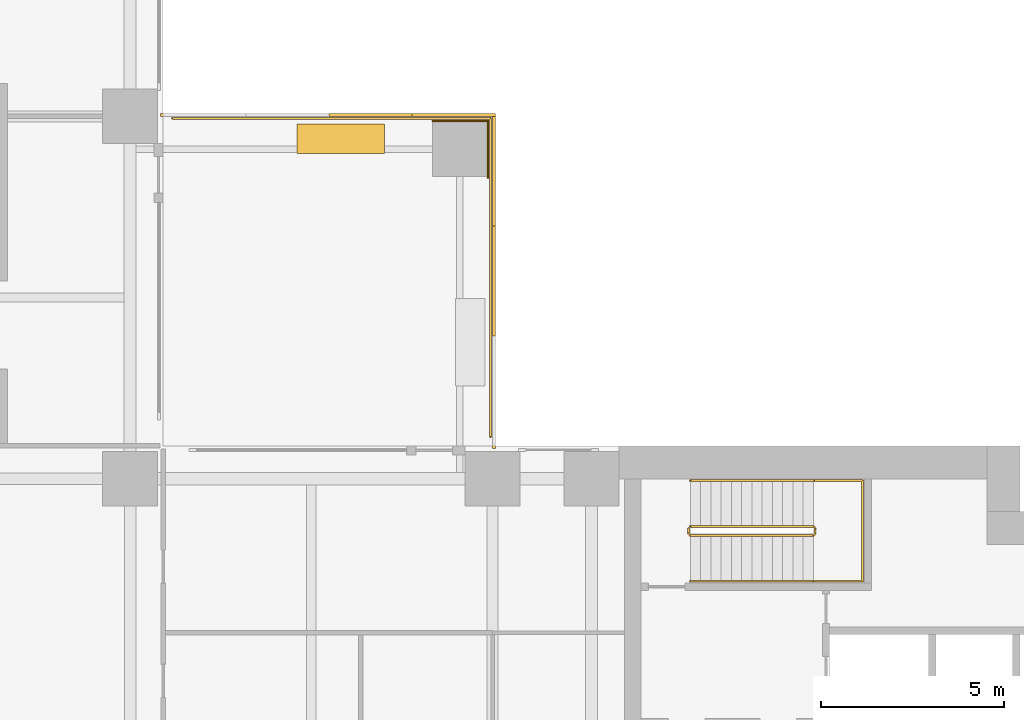
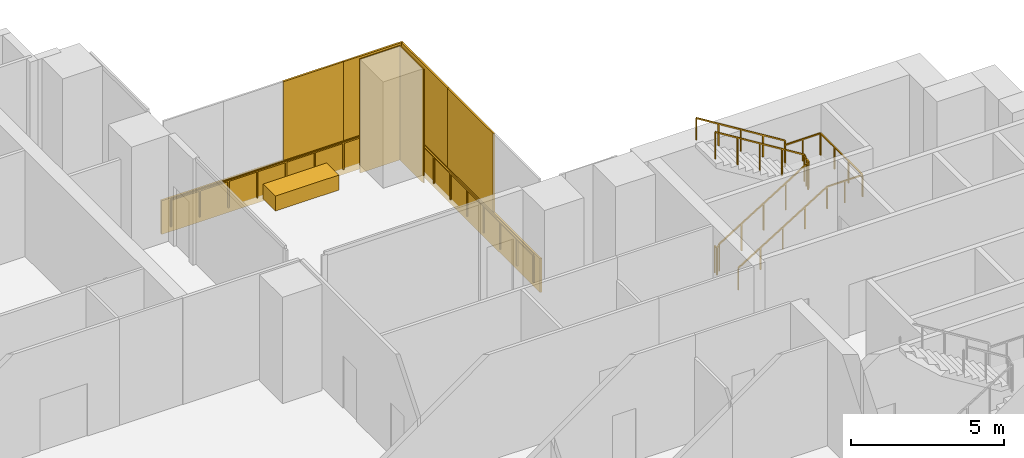
# One storey, part 15 of 15: 8 coverings, 3 railings.
"""IFC4 building model written with IfcOpenShell, lengths in metres."""

from ifc_helpers import new_model, si_unit, direction, frame, origin, origin_2d, place, context, subcontext, project, spatial, polyline, rectangle, outline, extrude, material, layer, layer_set, type_object, element, save


model = new_model("IFC4")

# Units and contexts
model_context = context("Model", 3, precision=1e-05, world=origin(), true_north=direction((0.0, 1.0)))
body_context = subcontext(model_context, "Body", "Model", "MODEL_VIEW")
ifc_project = project(units=[si_unit("LENGTHUNIT", "METRE"), si_unit("AREAUNIT", "SQUARE_METRE"), si_unit("VOLUMEUNIT", "CUBIC_METRE"), si_unit("PLANEANGLEUNIT", "RADIAN"), si_unit("MASSUNIT", "GRAM", prefix="KILO")], contexts=[model_context])

# Site, building, storey
site_placement = place(None, origin())
site = spatial("IfcSite", under=ifc_project, at=site_placement, CompositionType="ELEMENT")
building_placement = place(site_placement, origin())
building = spatial("IfcBuilding", under=site, at=building_placement, Name="Perihelion Cross Residences", CompositionType="ELEMENT")
storey_placement = place(building_placement, frame((0.0, 0.0, 32.0)))
storey = spatial("IfcBuildingStorey", under=building, at=storey_placement, Name="L04", CompositionType="ELEMENT", Elevation=32.0)

# Railing
ifc_material_1 = material(Name="Bronze anodised aluminium", Category="aluminium")
railing_type_1 = type_object("IfcRailingType", Name="Balcony guard 1100", PredefinedType="GUARDRAIL", material=ifc_material_1)
railing_1_placement = place(storey_placement, frame((9.25, 17.93994140625, 0.0)))
element("IfcRailing", 1, at=railing_1_placement, inside=storey, type_object=railing_type_1, Name="Guard GU1 L04 pocket north-east 1", PredefinedType="GUARDRAIL", context=body_context, shape_type="SweptSolid", body=[
    extrude(rectangle(XDim=0.048095703125, YDim=0.048095703125, at=origin_2d()), frame((0.0, 0.0, 1.076171875), z_axis=(1.0, 0.0, 0.0), x_axis=(0.0, 1.0, 0.0)), (0.0, 0.0, 1.0), 8.68994140625),
    extrude(rectangle(XDim=0.048095703125, YDim=0.048095703125, at=origin_2d()), frame((8.68994140625, 0.0, 1.076171875), z_axis=(0.0, -1.0, 0.0), x_axis=(1.0, 0.0, 0.0)), (0.0, 0.0, 1.0), 8.68994140625),
    extrude(rectangle(XDim=0.0419921875, YDim=0.0419921875, at=origin_2d()), origin(), (0.0, 0.0, 1.0), 1.052001953125),
    extrude(rectangle(XDim=0.0419921875, YDim=0.0419921875, at=origin_2d()), frame((1.086181640625, 0.0, 0.0)), (0.0, 0.0, 1.0), 1.052001953125),
    extrude(rectangle(XDim=0.0419921875, YDim=0.0419921875, at=origin_2d()), frame((2.17236328125, 0.0, 0.0)), (0.0, 0.0, 1.0), 1.052001953125),
    extrude(rectangle(XDim=0.0419921875, YDim=0.0419921875, at=origin_2d()), frame((3.2587890625, 0.0, 0.0)), (0.0, 0.0, 1.0), 1.052001953125),
    extrude(rectangle(XDim=0.0419921875, YDim=0.0419921875, at=origin_2d()), frame((4.344970703125, 0.0, 0.0)), (0.0, 0.0, 1.0), 1.052001953125),
    extrude(rectangle(XDim=0.0419921875, YDim=0.0419921875, at=origin_2d()), frame((5.43115234375, 0.0, 0.0)), (0.0, 0.0, 1.0), 1.052001953125),
    extrude(rectangle(XDim=0.0419921875, YDim=0.0419921875, at=origin_2d()), frame((6.517578125, 0.0, 0.0)), (0.0, 0.0, 1.0), 1.052001953125),
    extrude(rectangle(XDim=0.0419921875, YDim=0.0419921875, at=origin_2d()), frame((7.603759765625, 0.0, 0.0)), (0.0, 0.0, 1.0), 1.052001953125),
    extrude(rectangle(XDim=0.0419921875, YDim=0.0419921875, at=origin_2d()), frame((8.68994140625, 0.0, 0.0)), (0.0, 0.0, 1.0), 1.052001953125),
    extrude(rectangle(XDim=0.0419921875, YDim=0.0419921875, at=origin_2d()), frame((8.68994140625, -1.086181640625, 0.0)), (0.0, 0.0, 1.0), 1.052001953125),
    extrude(rectangle(XDim=0.0419921875, YDim=0.0419921875, at=origin_2d()), frame((8.68994140625, -2.17236328125, 0.0)), (0.0, 0.0, 1.0), 1.052001953125),
    extrude(rectangle(XDim=0.0419921875, YDim=0.0419921875, at=origin_2d()), frame((8.68994140625, -3.2587890625, 0.0)), (0.0, 0.0, 1.0), 1.052001953125),
    extrude(rectangle(XDim=0.0419921875, YDim=0.0419921875, at=origin_2d()), frame((8.68994140625, -4.344970703125, 0.0)), (0.0, 0.0, 1.0), 1.052001953125),
    extrude(rectangle(XDim=0.0419921875, YDim=0.0419921875, at=origin_2d()), frame((8.68994140625, -5.43115234375, 0.0)), (0.0, 0.0, 1.0), 1.052001953125),
    extrude(rectangle(XDim=0.0419921875, YDim=0.0419921875, at=origin_2d()), frame((8.68994140625, -6.517578125, 0.0)), (0.0, 0.0, 1.0), 1.052001953125),
    extrude(rectangle(XDim=0.0419921875, YDim=0.0419921875, at=origin_2d()), frame((8.68994140625, -7.603759765625, 0.0)), (0.0, 0.0, 1.0), 1.052001953125),
    extrude(rectangle(XDim=0.0419921875, YDim=0.0419921875, at=origin_2d()), frame((8.68994140625, -8.68994140625, 0.0)), (0.0, 0.0, 1.0), 1.052001953125),
])

# Coverings
ifc_material_2 = material(Name="Bronze anodised aluminium", Category="aluminium")
ifc_layer_1 = layer(ifc_material_2, 0.0400390625)
ifc_layer_set_1 = layer_set([ifc_layer_1], Name="Bronze column casing 40")
covering_type_1 = type_object("IfcCoveringType", Name="Bronze column casing 40", PredefinedType="CLADDING", material=ifc_layer_set_1)
covering_1_placement = place(storey_placement, frame((17.8701171875, 17.10009765625, -0.2998046875), z_axis=(0.0, 0.0, 1.0), x_axis=(1.0, 0.0, 0.0)))
element("IfcCovering", 2, at=covering_1_placement, inside=storey, type_object=covering_type_1, Name="Cladding CC1 L04 casing east-west no. 4", PredefinedType="CLADDING", context=body_context, shape_type="SweptSolid", body=[
    extrude(rectangle(XDim=0.0400390625, YDim=1.580078125, at=origin_2d()), origin(), (0.0, 0.0, 1.0), 4.550048828125),
])
covering_2_placement = place(storey_placement, frame((17.10009765625, 17.8701171875, -0.2998046875), z_axis=(0.0, 0.0, 1.0), x_axis=(1.0, 0.0, 0.0)))
element("IfcCovering", 3, at=covering_2_placement, inside=storey, type_object=covering_type_1, Name="Cladding CC1 L04 casing north-south no. 4", PredefinedType="CLADDING", context=body_context, shape_type="SweptSolid", body=[
    extrude(rectangle(XDim=1.5, YDim=0.0400390625, at=origin_2d()), origin(), (0.0, 0.0, 1.0), 4.550048828125),
])
ifc_material_3 = material(Name="Precast concrete C40/50", Category="concrete")
covering_type_2 = type_object("IfcCoveringType", Name="Planter box 2400", PredefinedType="USERDEFINED", material=ifc_material_3)
covering_3_placement = place(storey_placement, frame((13.85009765625, 17.389892578125, 0.0), z_axis=(0.0, 0.0, 1.0), x_axis=(1.0, 0.0, 0.0)))
element("IfcCovering", 4, at=covering_3_placement, inside=storey, type_object=covering_type_2, Name="Planter PT1 L04 pocket north-east 1", ObjectType="PLANTER", PredefinedType="USERDEFINED", context=body_context, shape_type="SweptSolid", body=[
    extrude(rectangle(XDim=2.39990234375, YDim=0.800048828125, at=origin_2d()), origin(), (0.0, 0.0, 1.0), 0.60009765625),
])
ifc_material_4 = material(Name="Bronze anodised aluminium", Category="aluminium")
ifc_layer_2 = layer(ifc_material_4, 0.070068359375)
ifc_layer_set_2 = layer_set([ifc_layer_2], Name="Pocket fascia 1350")
covering_type_3 = type_object("IfcCoveringType", Name="Pocket fascia 1350", PredefinedType="CLADDING", material=ifc_layer_set_2)
covering_4_placement = place(storey_placement, frame((0.0, 0.0, -0.25)))
element("IfcCovering", 5, at=covering_4_placement, inside=storey, type_object=covering_type_3, Name="Fascia BF2 L04 pocket north-east 1", PredefinedType="CLADDING", context=body_context, shape_type="SweptSolid", body=[
    extrude(outline(polyline([(8.929931640625, 18.0), (9.0, 18.0), (9.0, 18.0), (18.0, 18.0), (18.0, 9.0), (18.0, 9.0), (18.0, 8.929931640625), (18.070068359375, 8.929931640625), (18.070068359375, 18.070068359375), (8.929931640625, 18.070068359375), (8.929931640625, 18.0)])), origin(), (0.0, 0.0, 1.0), 1.35009765625),
])
ifc_material_5 = material(Name="Bronze perforated aluminium", Category="aluminium")
ifc_layer_3 = layer(ifc_material_5, 0.070068359375)
ifc_layer_set_3 = layer_set([ifc_layer_3], Name="Pocket solar screen, bronze perforated")
covering_type_4 = type_object("IfcCoveringType", Name="Pocket solar screen, bronze perforated", PredefinedType="CLADDING", material=ifc_layer_set_3)
covering_5_placement = place(storey_placement, frame((0.0, 0.0, 1.10009765625)))
element("IfcCovering", 6, at=covering_5_placement, inside=storey, type_object=covering_type_4, Name="Solar screen PS1 L04 pocket north-east no. 2", PredefinedType="CLADDING", context=body_context, shape_type="SweptSolid", body=[
    extrude(outline(polyline([(18.070068359375, 12.0), (18.070068359375, 15.0), (18.0, 15.0), (18.0, 12.0), (18.070068359375, 12.0)])), origin(), (0.0, 0.0, 1.0), 3.14990234375),
])
covering_6_placement = place(storey_placement, frame((0.0, 0.0, 1.10009765625)))
element("IfcCovering", 7, at=covering_6_placement, inside=storey, type_object=covering_type_4, Name="Solar screen PS1 L04 pocket north-east no. 3", PredefinedType="CLADDING", context=body_context, shape_type="SweptSolid", body=[
    extrude(outline(polyline([(18.070068359375, 15.0), (18.070068359375, 18.0), (18.0, 18.0), (18.0, 15.0), (18.070068359375, 15.0)])), origin(), (0.0, 0.0, 1.0), 3.14990234375),
])
covering_7_placement = place(storey_placement, frame((0.0, 0.0, 1.10009765625)))
element("IfcCovering", 8, at=covering_7_placement, inside=storey, type_object=covering_type_4, Name="Solar screen PS1 L04 pocket north-east no. 6", PredefinedType="CLADDING", context=body_context, shape_type="SweptSolid", body=[
    extrude(outline(polyline([(15.802490234375, 18.0), (15.802490234375, 18.070068359375), (13.534912109375, 18.070068359375), (13.534912109375, 18.0), (15.802490234375, 18.0)])), origin(), (0.0, 0.0, 1.0), 3.14990234375),
])
covering_8_placement = place(storey_placement, frame((0.0, 0.0, 1.10009765625)))
element("IfcCovering", 9, at=covering_8_placement, inside=storey, type_object=covering_type_4, Name="Solar screen PS1 L04 pocket north-east no. 7", PredefinedType="CLADDING", context=body_context, shape_type="SweptSolid", body=[
    extrude(outline(polyline([(18.070068359375, 18.0), (18.070068359375, 18.070068359375), (15.802490234375, 18.070068359375), (15.802490234375, 18.0), (18.070068359375, 18.0)])), origin(), (0.0, 0.0, 1.0), 3.14990234375),
])

# Railings
ifc_material_6 = material(Name="Stainless steel", Category="steel")
railing_type_2 = type_object("IfcRailingType", Name="Stair guard 1100", PredefinedType="GUARDRAIL", material=ifc_material_6)
railing_2_placement = place(storey_placement, frame((23.35009765625, 6.75, 0.0)))
element("IfcRailing", 10, at=railing_2_placement, inside=storey, type_object=railing_type_2, Name="L04 ST-E1 stair guard 1", PredefinedType="GUARDRAIL", context=body_context, shape_type="SweptSolid", body=[
    extrude(rectangle(XDim=0.048095703125, YDim=0.048095703125, at=origin_2d()), frame((0.0, 0.0, 1.076171875), z_axis=(0.0, -1.0, 0.0), x_axis=(1.0, 0.0, 0.0)), (0.0, 0.0, 1.0), 0.14990234375),
    extrude(rectangle(XDim=0.048095703125, YDim=0.048095703125, at=origin_2d()), frame((0.0, -0.14990234375, 1.076171875), z_axis=(0.266417085129, -0.267723051232, 0.925929967433), x_axis=(0.708833529934, 0.705375805398, 0.0)), (0.0, 0.0, 1.0), 0.18701171875),
    extrude(rectangle(XDim=0.048095703125, YDim=0.048095703125, at=origin_2d()), frame((0.0498046875, -0.199951171875, 1.2490234375), z_axis=(0.850623216509, 0.0, 0.525775754039), x_axis=(0.0, 1.0, 0.0)), (0.0, 0.0, 1.0), 3.9501953125),
    extrude(rectangle(XDim=0.048095703125, YDim=0.048095703125, at=origin_2d()), frame((3.409912109375, -0.199951171875, 3.326171875), z_axis=(0.707106781187, 0.707106781187, 0.0), x_axis=(-0.707106781187, 0.707106781187, 0.0)), (0.0, 0.0, 1.0), 0.07080078125),
    extrude(rectangle(XDim=0.048095703125, YDim=0.048095703125, at=origin_2d()), frame((3.4599609375, -0.14990234375, 3.326171875), z_axis=(0.0, 1.0, 0.0), x_axis=(-1.0, 0.0, 0.0)), (0.0, 0.0, 1.0), 0.14990234375),
    extrude(rectangle(XDim=0.048095703125, YDim=0.048095703125, at=origin_2d()), frame((3.4599609375, 0.0, 3.326171875), z_axis=(-0.267629722418, 0.267629722418, 0.925607186314), x_axis=(-0.707106781187, -0.707106781187, 0.0)), (0.0, 0.0, 1.0), 0.18701171875),
    extrude(rectangle(XDim=0.048095703125, YDim=0.048095703125, at=origin_2d()), frame((3.409912109375, 0.050048828125, 3.4990234375), z_axis=(-0.850623216509, 0.0, 0.525775754039), x_axis=(0.0, -1.0, 0.0)), (0.0, 0.0, 1.0), 3.9501953125),
    extrude(rectangle(XDim=0.0419921875, YDim=0.0419921875, at=origin_2d()), origin(), (0.0, 0.0, 1.0), 1.052001953125),
    extrude(rectangle(XDim=0.0419921875, YDim=0.0419921875, at=origin_2d()), frame((0.0, -0.14990234375, 0.0)), (0.0, 0.0, 1.0), 1.052001953125),
    extrude(rectangle(XDim=0.0419921875, YDim=0.0419921875, at=origin_2d()), frame((0.0498046875, -0.199951171875, 0.173095703125)), (0.0, 0.0, 1.0), 1.052001953125),
    extrude(rectangle(XDim=0.0419921875, YDim=0.0419921875, at=origin_2d()), frame((0.889892578125, -0.199951171875, 0.6923828125)), (0.0, 0.0, 1.0), 1.052001953125),
    extrude(rectangle(XDim=0.0419921875, YDim=0.0419921875, at=origin_2d()), frame((1.72998046875, -0.199951171875, 1.21142578125)), (0.0, 0.0, 1.0), 1.052001953125),
    extrude(rectangle(XDim=0.0419921875, YDim=0.0419921875, at=origin_2d()), frame((2.56982421875, -0.199951171875, 1.730712890625)), (0.0, 0.0, 1.0), 1.052001953125),
    extrude(rectangle(XDim=0.0419921875, YDim=0.0419921875, at=origin_2d()), frame((3.409912109375, -0.199951171875, 2.25)), (0.0, 0.0, 1.0), 1.052001953125),
    extrude(rectangle(XDim=0.0419921875, YDim=0.0419921875, at=origin_2d()), frame((3.4599609375, -0.14990234375, 2.25)), (0.0, 0.0, 1.0), 1.052001953125),
    extrude(rectangle(XDim=0.0419921875, YDim=0.0419921875, at=origin_2d()), frame((3.4599609375, 0.0, 2.25)), (0.0, 0.0, 1.0), 1.052001953125),
    extrude(rectangle(XDim=0.0419921875, YDim=0.0419921875, at=origin_2d()), frame((3.409912109375, 0.050048828125, 2.423095703125)), (0.0, 0.0, 1.0), 1.052001953125),
    extrude(rectangle(XDim=0.0419921875, YDim=0.0419921875, at=origin_2d()), frame((2.56982421875, 0.050048828125, 2.9423828125)), (0.0, 0.0, 1.0), 1.052001953125),
    extrude(rectangle(XDim=0.0419921875, YDim=0.0419921875, at=origin_2d()), frame((1.72998046875, 0.050048828125, 3.46142578125)), (0.0, 0.0, 1.0), 1.052001953125),
    extrude(rectangle(XDim=0.0419921875, YDim=0.0419921875, at=origin_2d()), frame((0.889892578125, 0.050048828125, 3.980712890625)), (0.0, 0.0, 1.0), 1.052001953125),
    extrude(rectangle(XDim=0.0419921875, YDim=0.0419921875, at=origin_2d()), frame((0.0498046875, 0.050048828125, 4.5)), (0.0, 0.0, 1.0), 1.052001953125),
])
ifc_material_7 = material(Name="Stainless steel", Category="steel")
railing_type_3 = type_object("IfcRailingType", Name="Stair handrail 900", PredefinedType="HANDRAIL", material=ifc_material_7)
railing_3_placement = place(storey_placement, frame((23.39990234375, 5.300048828125, 0.173095703125)))
element("IfcRailing", 11, at=railing_3_placement, inside=storey, type_object=railing_type_3, Name="L04 ST-E1 stair handrail 1", PredefinedType="HANDRAIL", context=body_context, shape_type="SweptSolid", body=[
    extrude(rectangle(XDim=0.048095703125, YDim=0.048095703125, at=origin_2d()), frame((0.0, 0.0, 0.8759765625), z_axis=(0.850623216509, 0.0, 0.525775754039), x_axis=(0.0, 1.0, 0.0)), (0.0, 0.0, 1.0), 3.9501953125),
    extrude(rectangle(XDim=0.048095703125, YDim=0.048095703125, at=origin_2d()), frame((3.360107421875, 0.0, 2.95263671875), z_axis=(1.0, 0.0, 0.0), x_axis=(0.0, 1.0, 0.0)), (0.0, 0.0, 1.0), 1.340087890625),
    extrude(rectangle(XDim=0.048095703125, YDim=0.048095703125, at=origin_2d()), frame((4.7001953125, 0.0, 2.95263671875), z_axis=(0.0, 1.0, 0.0), x_axis=(-1.0, 0.0, 0.0)), (0.0, 0.0, 1.0), 2.75),
    extrude(rectangle(XDim=0.048095703125, YDim=0.048095703125, at=origin_2d()), frame((4.7001953125, 2.75, 2.95263671875), z_axis=(-1.0, 0.0, 0.0), x_axis=(0.0, -1.0, 0.0)), (0.0, 0.0, 1.0), 1.340087890625),
    extrude(rectangle(XDim=0.048095703125, YDim=0.048095703125, at=origin_2d()), frame((3.360107421875, 2.75, 2.95263671875), z_axis=(0.0, 0.0, 1.0), x_axis=(1.0, 0.0, 0.0)), (0.0, 0.0, 1.0), 0.173095703125),
    extrude(rectangle(XDim=0.048095703125, YDim=0.048095703125, at=origin_2d()), frame((3.360107421875, 2.75, 3.1259765625), z_axis=(-0.850623216509, 0.0, 0.525775754039), x_axis=(0.0, -1.0, 0.0)), (0.0, 0.0, 1.0), 3.9501953125),
    extrude(rectangle(XDim=0.0419921875, YDim=0.0419921875, at=origin_2d()), origin(), (0.0, 0.0, 1.0), 0.851806640625),
    extrude(rectangle(XDim=0.0419921875, YDim=0.0419921875, at=origin_2d()), frame((0.840087890625, 0.0, 0.519287109375)), (0.0, 0.0, 1.0), 0.851806640625),
    extrude(rectangle(XDim=0.0419921875, YDim=0.0419921875, at=origin_2d()), frame((1.68017578125, 0.0, 1.03857421875)), (0.0, 0.0, 1.0), 0.851806640625),
    extrude(rectangle(XDim=0.0419921875, YDim=0.0419921875, at=origin_2d()), frame((2.52001953125, 0.0, 1.5576171875)), (0.0, 0.0, 1.0), 0.851806640625),
    extrude(rectangle(XDim=0.0419921875, YDim=0.0419921875, at=origin_2d()), frame((3.360107421875, 0.0, 2.076904296875)), (0.0, 0.0, 1.0), 0.851806640625),
    extrude(rectangle(XDim=0.0419921875, YDim=0.0419921875, at=origin_2d()), frame((4.0302734375, 0.0, 2.076904296875)), (0.0, 0.0, 1.0), 0.851806640625),
    extrude(rectangle(XDim=0.0419921875, YDim=0.0419921875, at=origin_2d()), frame((4.7001953125, 0.0, 2.076904296875)), (0.0, 0.0, 1.0), 0.851806640625),
    extrude(rectangle(XDim=0.0419921875, YDim=0.0419921875, at=origin_2d()), frame((4.7001953125, 0.916748046875, 2.076904296875)), (0.0, 0.0, 1.0), 0.851806640625),
    extrude(rectangle(XDim=0.0419921875, YDim=0.0419921875, at=origin_2d()), frame((4.7001953125, 1.833251953125, 2.076904296875)), (0.0, 0.0, 1.0), 0.851806640625),
    extrude(rectangle(XDim=0.0419921875, YDim=0.0419921875, at=origin_2d()), frame((4.7001953125, 2.75, 2.076904296875)), (0.0, 0.0, 1.0), 0.851806640625),
    extrude(rectangle(XDim=0.0419921875, YDim=0.0419921875, at=origin_2d()), frame((4.0302734375, 2.75, 2.076904296875)), (0.0, 0.0, 1.0), 0.851806640625),
    extrude(rectangle(XDim=0.0419921875, YDim=0.0419921875, at=origin_2d()), frame((3.360107421875, 2.75, 2.076904296875)), (0.0, 0.0, 1.0), 0.851806640625),
    extrude(rectangle(XDim=0.0419921875, YDim=0.0419921875, at=origin_2d()), frame((3.360107421875, 2.75, 2.25)), (0.0, 0.0, 1.0), 0.851806640625),
    extrude(rectangle(XDim=0.0419921875, YDim=0.0419921875, at=origin_2d()), frame((2.52001953125, 2.75, 2.769287109375)), (0.0, 0.0, 1.0), 0.851806640625),
    extrude(rectangle(XDim=0.0419921875, YDim=0.0419921875, at=origin_2d()), frame((1.68017578125, 2.75, 3.28857421875)), (0.0, 0.0, 1.0), 0.851806640625),
    extrude(rectangle(XDim=0.0419921875, YDim=0.0419921875, at=origin_2d()), frame((0.840087890625, 2.75, 3.8076171875)), (0.0, 0.0, 1.0), 0.851806640625),
    extrude(rectangle(XDim=0.0419921875, YDim=0.0419921875, at=origin_2d()), frame((0.0, 2.75, 4.326904296875)), (0.0, 0.0, 1.0), 0.851806640625),
])

save(model, "model.ifc")
